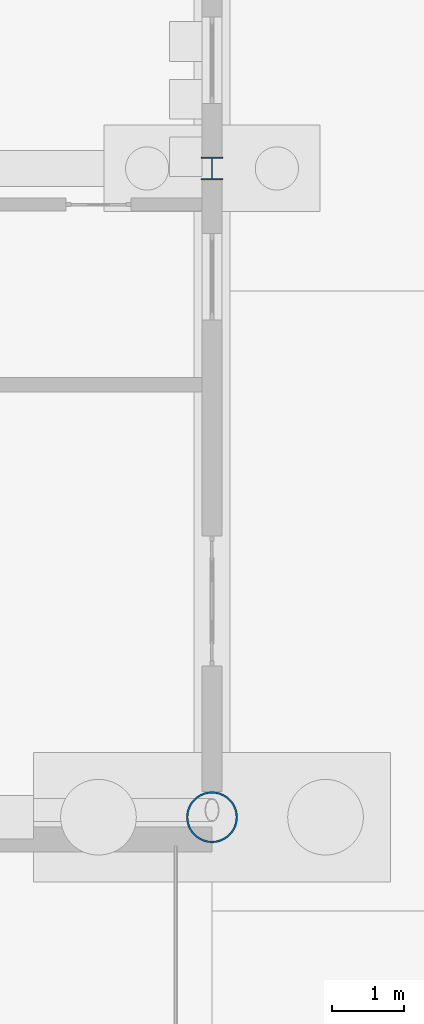
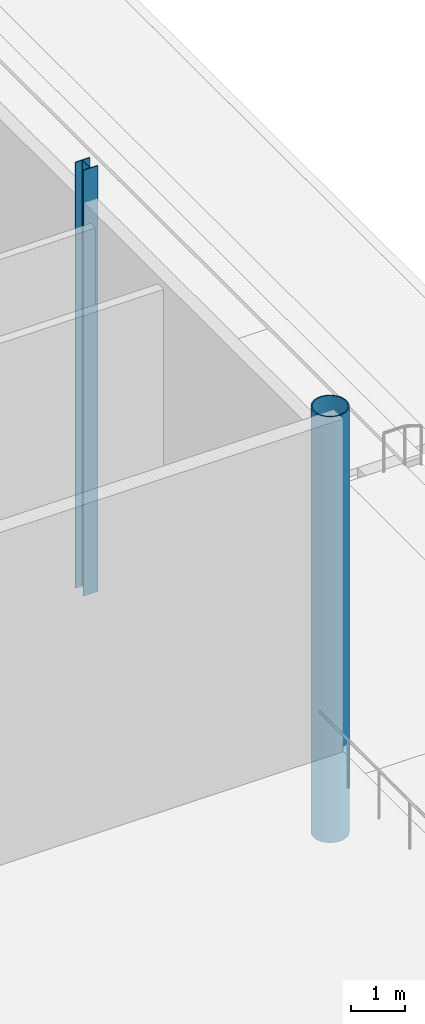
# One storey, part 30 of 250: 2 columns.
"""IFC4 building model written with IfcOpenShell, lengths in metres."""

from ifc_helpers import new_model, si_unit, direction, frame, origin, origin_2d, place, context, subcontext, project, spatial, hollow_circle, i_section, extrude, material, material_profile, profile_set, type_object, element, save


model = new_model("IFC4")

# Units and contexts
model_context = context("Model", 3, precision=1e-05, world=origin(), true_north=direction((0.0, 1.0)))
body_context = subcontext(model_context, "Body", "Model", "MODEL_VIEW")
ifc_project = project(units=[si_unit("LENGTHUNIT", "METRE"), si_unit("AREAUNIT", "SQUARE_METRE"), si_unit("VOLUMEUNIT", "CUBIC_METRE"), si_unit("PLANEANGLEUNIT", "RADIAN"), si_unit("MASSUNIT", "GRAM", prefix="KILO")], contexts=[model_context])

# Site, building, storey
site_placement = place(None, origin())
site = spatial("IfcSite", under=ifc_project, at=site_placement, CompositionType="ELEMENT")
building_placement = place(site_placement, origin())
building = spatial("IfcBuilding", under=site, at=building_placement, Name="Baradari Gate Terminus", CompositionType="ELEMENT")
storey_placement = place(building_placement, origin())
storey = spatial("IfcBuildingStorey", under=building, at=storey_placement, Name="L00", CompositionType="ELEMENT", Elevation=0.0)

# Columns
ifc_material_1 = material(Name="Steel S355", Category="steel")
ifc_material_profile_1 = material_profile(ifc_material_1, hollow_circle(Radius=0.35546875, WallThickness=0.02490234375, at=origin_2d()), Name="CHS 711x25")
ifc_profile_set_1 = profile_set([ifc_material_profile_1], Name="Steel S355")
column_type_1 = type_object("IfcColumnType", Name="Braced north shed column C10 CHS 711x25", PredefinedType="COLUMN", material=ifc_profile_set_1)
column_1_placement = place(storey_placement, frame((243.0, 81.0, -2.10009765625), z_axis=(0.0, 0.0, 1.0), x_axis=(1.0, 0.0, 0.0)))
element("IfcColumn", 1, at=column_1_placement, inside=storey, type_object=column_type_1, Name="C10 column 28-K L00", PredefinedType="COLUMN", context=body_context, shape_type="SweptSolid", body=[
    extrude(hollow_circle(Radius=0.35546875, WallThickness=0.02490234375, at=origin_2d()), origin(), (0.0, 0.0, 1.0), 9.60009765625),
])
ifc_material_2 = material(Name="Steel S355", Category="steel")
ifc_material_profile_2 = material_profile(ifc_material_2, i_section(OverallWidth=0.307373046875, OverallDepth=0.314453125, WebThickness=0.011962890625, FlangeThickness=0.018798828125, FilletRadius=0.01513671875, at=origin_2d()), Name="UC 305x305x118")
ifc_profile_set_2 = profile_set([ifc_material_profile_2], Name="Steel S355")
column_type_2 = type_object("IfcColumnType", Name="Head-house column C07 UC 305x305x118", PredefinedType="COLUMN", material=ifc_profile_set_2)
column_2_placement = place(storey_placement, frame((243.0, 90.0, -2.10009765625), z_axis=(0.0, 0.0, 1.0), x_axis=(1.0, 0.0, 0.0)))
element("IfcColumn", 2, at=column_2_placement, inside=storey, type_object=column_type_2, Name="C07 column 28-L L00", PredefinedType="COLUMN", context=body_context, shape_type="SweptSolid", body=[
    extrude(i_section(OverallWidth=0.307373046875, OverallDepth=0.314453125, WebThickness=0.011962890625, FlangeThickness=0.018798828125, FilletRadius=0.01513671875, at=origin_2d()), origin(), (0.0, 0.0, 1.0), 9.60009765625),
])

save(model, "model.ifc")
